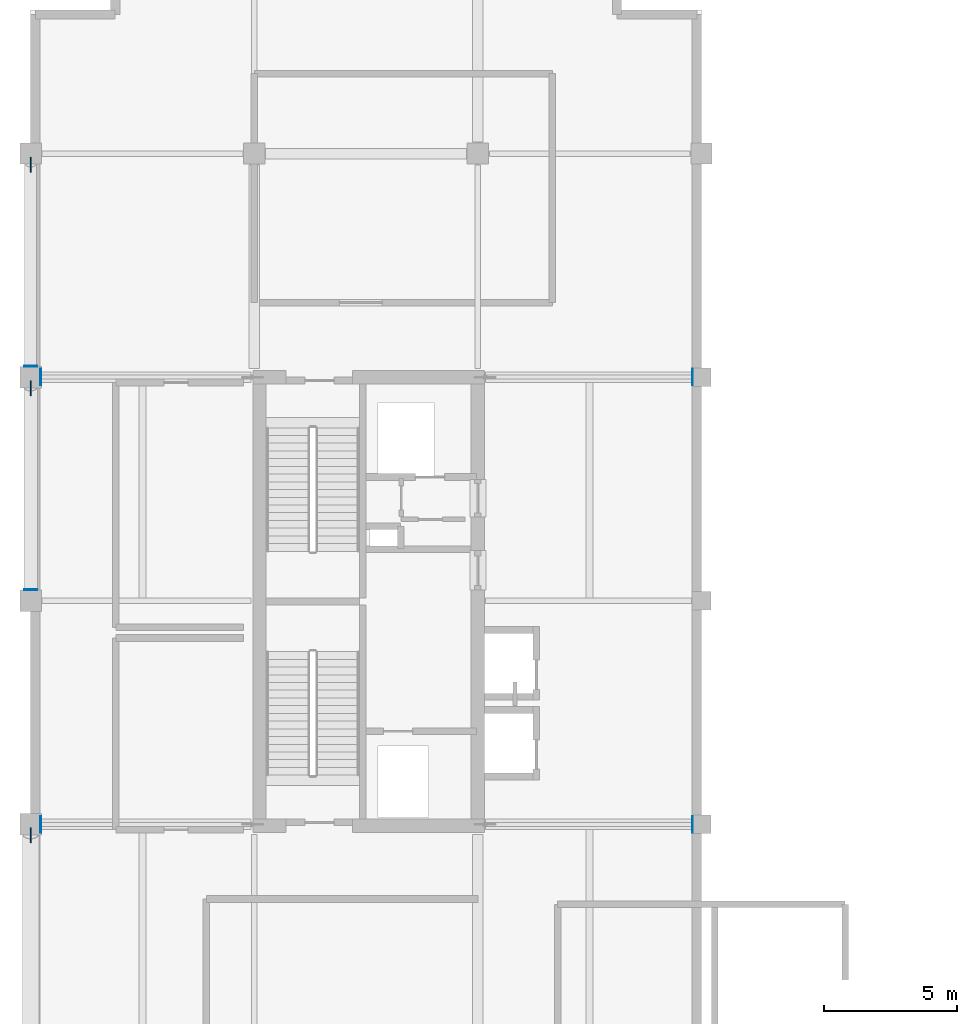
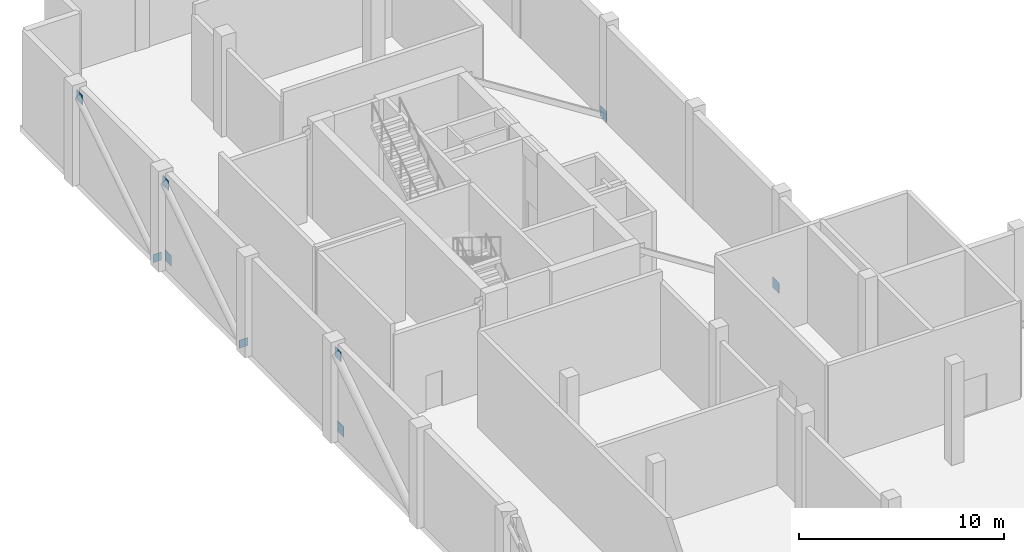
# One storey, part 8 of 14: 9 plates.
"""IFC4 building model written with IfcOpenShell, lengths in metres."""

from ifc_helpers import new_model, si_unit, direction, frame, origin, origin_2d, place, context, subcontext, project, spatial, rectangle, extrude, material, layer, layer_set, type_object, element, save


model = new_model("IFC4")

# Units and contexts
model_context = context("Model", 3, precision=1e-05, world=origin(), true_north=direction((0.0, 1.0)))
body_context = subcontext(model_context, "Body", "Model", "MODEL_VIEW")
ifc_project = project(units=[si_unit("LENGTHUNIT", "METRE"), si_unit("AREAUNIT", "SQUARE_METRE"), si_unit("VOLUMEUNIT", "CUBIC_METRE"), si_unit("PLANEANGLEUNIT", "RADIAN"), si_unit("MASSUNIT", "GRAM", prefix="KILO")], contexts=[model_context])

# Site, building, storey
site_placement = place(None, origin())
site = spatial("IfcSite", under=ifc_project, at=site_placement, CompositionType="ELEMENT")
building_placement = place(site_placement, origin())
building = spatial("IfcBuilding", under=site, at=building_placement, Name="Koriwani Terraces Tower", CompositionType="ELEMENT")
storey_placement = place(building_placement, frame((0.0, 0.0, 294.800048828125)))
storey = spatial("IfcBuildingStorey", under=building, at=storey_placement, Name="L73", CompositionType="ELEMENT", Elevation=294.800048828125)

# Plates
ifc_material = material(Name="Steel ASTM A572 Grade 50", Category="steel")
ifc_layer_1 = layer(ifc_material, 0.02490234375, Name="Steel ASTM A572 Grade 50")
ifc_layer_set_1 = layer_set([ifc_layer_1], Name="Steel ASTM A572 Grade 50")
plate_type_1 = type_object("IfcPlateType", Name="STEEL_CAP_PLATE_25", PredefinedType="USERDEFINED", material=ifc_layer_set_1)
for number, where, z_axis, x_axis, name in (
    (1, (8.780029296875, 42.0, 0.039794921875), (0.0, 0.0, 1.0), (1.0, 0.0, 0.0), "Outrigger truss hollow end cap plate L73-OW-W1"),
    (2, (8.780029296875, 58.800048828125, 0.039794921875), (0.0, 0.0, 1.0), (1.0, 0.0, 0.0), "Outrigger truss hollow end cap plate L73-OW-W2"),
    (3, (33.27001953125, 42.0, 0.039794921875), (0.0, 0.0, 1.0), (-1.0, 0.0, 0.0), "Outrigger truss hollow end cap plate L73-OW-E1"),
    (4, (33.27001953125, 58.800048828125, 0.039794921875), (0.0, 0.0, 1.0), (-1.0, 0.0, 0.0), "Outrigger truss hollow end cap plate L73-OW-E2"),
):
    element("IfcPlate", number, at=place(storey_placement, frame(where, z_axis=z_axis, x_axis=x_axis)), inside=storey, type_object=plate_type_1, Name=name, ObjectType="FLANGE_PLATE", PredefinedType="USERDEFINED", context=body_context, shape_type="SweptSolid", body=[
        extrude(rectangle(XDim=0.02490234375, YDim=0.6201171875, at=origin_2d()), origin(), (0.0, 0.0, 1.0), 0.6201171875),
    ])
for number, where, z_axis, x_axis, name in (
    (5, (8.39990234375, 50.8134765625, 0.03173828125), (0.0, 0.0, 1.0), (0.0, 1.0, 0.0), "Brace End Cap Plate BT-L73-BW3"),
    (6, (8.39990234375, 59.21337890625, 0.03173828125), (0.0, 0.0, 1.0), (0.0, 1.0, 0.0), "Brace End Cap Plate BT-L73-BW4"),
):
    element("IfcPlate", number, at=place(storey_placement, frame(where, z_axis=z_axis, x_axis=x_axis)), inside=storey, type_object=plate_type_1, Name=name, ObjectType="FLANGE_PLATE", PredefinedType="USERDEFINED", context=body_context, shape_type="SweptSolid", body=[
        extrude(rectangle(XDim=0.02490234375, YDim=0.47998046875, at=origin_2d()), origin(), (0.0, 0.0, 1.0), 0.47998046875),
    ])
ifc_layer_2 = layer(ifc_material, 0.0400390625, Name="Steel ASTM A572 Grade 50")
ifc_layer_set_2 = layer_set([ifc_layer_2], Name="Steel ASTM A572 Grade 50")
plate_type_2 = type_object("IfcPlateType", Name="STEEL_GUSSET_PLATE_40", PredefinedType="USERDEFINED", material=ifc_layer_set_2)
for number, where, z_axis, x_axis, name in (
    (7, (8.39990234375, 41.58642578125, 4.918212890625), (0.0, 0.0, 1.0), (0.0, 1.0, 0.0), "Brace Node Gusset Plate BT-L73-BW2"),
    (8, (8.39990234375, 58.386474609375, 4.918212890625), (0.0, 0.0, 1.0), (0.0, 1.0, 0.0), "Brace Node Gusset Plate BT-L73-BW3"),
    (9, (8.39990234375, 66.78662109375, 4.918212890625), (0.0, 0.0, 1.0), (0.0, 1.0, 0.0), "Brace Node Gusset Plate BT-L73-BW4"),
):
    element("IfcPlate", number, at=place(storey_placement, frame(where, z_axis=z_axis, x_axis=x_axis)), inside=storey, type_object=plate_type_2, Name=name, ObjectType="GUSSET_PLATE", PredefinedType="USERDEFINED", context=body_context, shape_type="SweptSolid", body=[
        extrude(rectangle(XDim=0.56005859375, YDim=0.0400390625, at=origin_2d()), origin(), (0.0, 0.0, 1.0), 0.56005859375),
    ])

save(model, "model.ifc")
